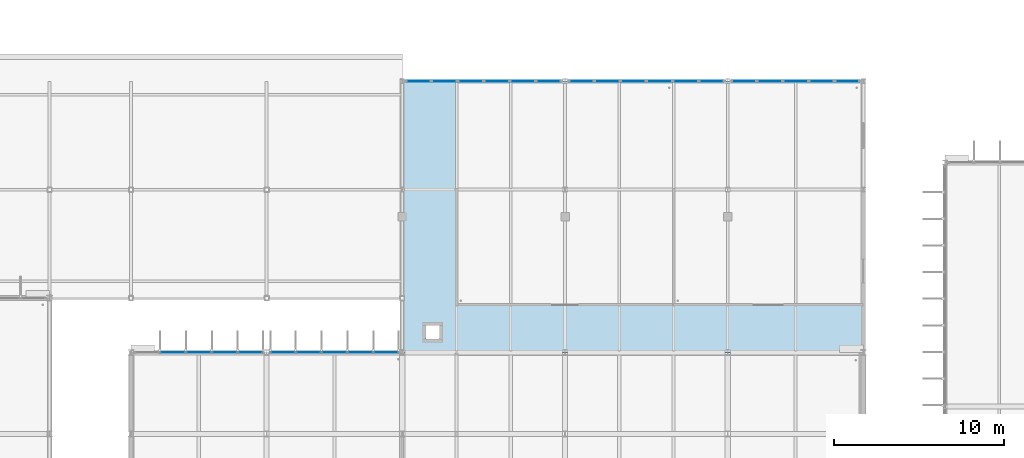
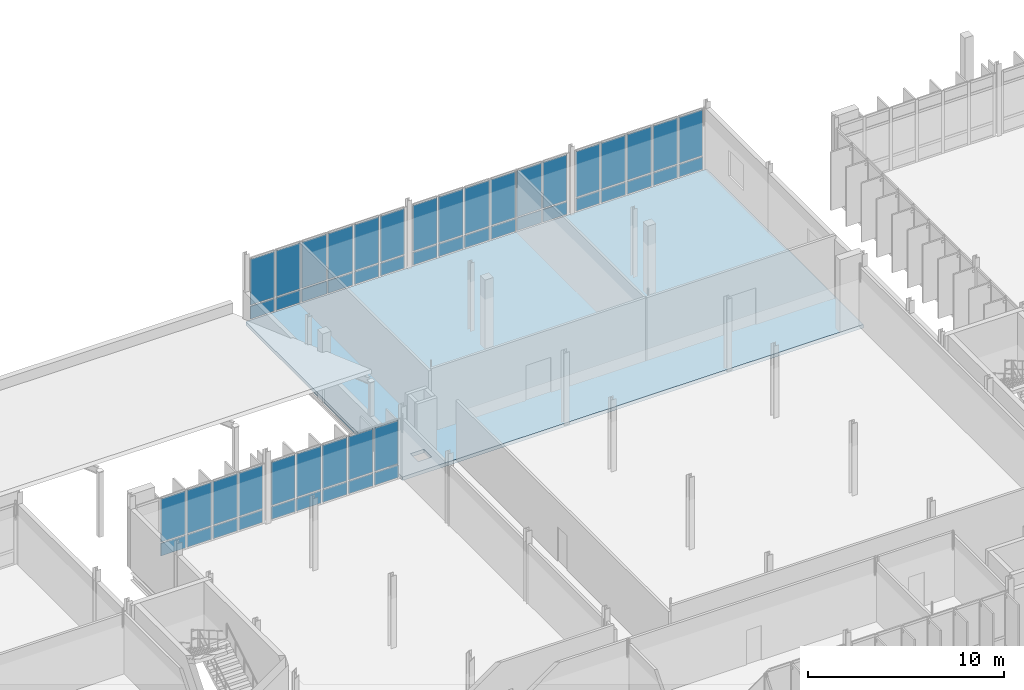
# One storey, part 50 of 107: 52 plates, 1 slab, 5 elements without a shape of their own.
"""IFC4 building model written with IfcOpenShell, lengths in metres."""

from ifc_helpers import new_model, si_unit, direction, frame, origin, origin_2d, place, context, subcontext, project, spatial, polyline, rectangle, outline, extrude, material, layer, layer_set, type_object, element, aggregate, save


model = new_model("IFC4")

# Units and contexts
model_context = context("Model", 3, precision=1e-05, world=origin(), true_north=direction((0.0, 1.0)))
body_context = subcontext(model_context, "Body", "Model", "MODEL_VIEW")
ifc_project = project(units=[si_unit("LENGTHUNIT", "METRE"), si_unit("AREAUNIT", "SQUARE_METRE"), si_unit("VOLUMEUNIT", "CUBIC_METRE"), si_unit("PLANEANGLEUNIT", "RADIAN"), si_unit("MASSUNIT", "GRAM", prefix="KILO")], contexts=[model_context])

# Site, building, storey
site_placement = place(None, origin())
site = spatial("IfcSite", under=ifc_project, at=site_placement, CompositionType="ELEMENT")
building_placement = place(site_placement, origin())
building = spatial("IfcBuilding", under=site, at=building_placement, Name="Dunescarp Central Library", CompositionType="ELEMENT")
storey_placement = place(building_placement, frame((0.0, 0.0, 5.10009765625)))
storey = spatial("IfcBuildingStorey", under=building, at=storey_placement, Name="L01", CompositionType="ELEMENT", Elevation=5.10009765625)

# Curtain wall, plates
ifc_material_1 = material(Name="Marine-grade anodised aluminium 6063-T6", Category="aluminium")
curtain_wall_type = type_object("IfcCurtainWallType", Name="ARC-CW-STICK", PredefinedType="NOTDEFINED", material=ifc_material_1)
curtain_wall_1_placement = place(storey_placement, origin())
curtain_wall_1 = element("IfcCurtainWall", 1, at=curtain_wall_1_placement, inside=storey, type_object=curtain_wall_type, Name="L01 curtain wall CW-V3-088", PredefinedType="NOTDEFINED")
ifc_material_2 = material(Name="Solar-control laminated double glazing", Category="glass")
ifc_layer_1 = layer(ifc_material_2, 0.028076171875)
ifc_layer_set_1 = layer_set([ifc_layer_1], Name="Solar-control laminated double glazing")
plate_type_1 = type_object("IfcPlateType", Name="ARC-PLT-GLZ28", PredefinedType="CURTAIN_PANEL", material=ifc_layer_set_1)
plate_1_placement = place(storey_placement, frame((84.070068359375, 33.60009765625, 0.93994140625), z_axis=(0.0, 0.0, 1.0), x_axis=(1.0, 0.0, 0.0)))
plate_1 = element("IfcPlate", 2, at=plate_1_placement, type_object=plate_type_1, Name="CW-V3-088 panel 2.2", PredefinedType="CURTAIN_PANEL", context=body_context, shape_type="SweptSolid", body=[
    extrude(rectangle(XDim=1.449951171875, YDim=0.028076171875, at=origin_2d()), origin(), (0.0, 0.0, 1.0), 2.695068359375),
])
plate_2_placement = place(storey_placement, frame((85.60009765625, 33.60009765625, 0.93994140625), z_axis=(0.0, 0.0, 1.0), x_axis=(1.0, 0.0, 0.0)))
plate_2 = element("IfcPlate", 3, at=plate_2_placement, type_object=plate_type_1, Name="CW-V3-088 panel 3.2", PredefinedType="CURTAIN_PANEL", context=body_context, shape_type="SweptSolid", body=[
    extrude(rectangle(XDim=1.449951171875, YDim=0.028076171875, at=origin_2d()), origin(), (0.0, 0.0, 1.0), 2.695068359375),
])
plate_3_placement = place(storey_placement, frame((87.1298828125, 33.60009765625, 0.93994140625), z_axis=(0.0, 0.0, 1.0), x_axis=(1.0, 0.0, 0.0)))
plate_3 = element("IfcPlate", 4, at=plate_3_placement, type_object=plate_type_1, Name="CW-V3-088 panel 4.2", PredefinedType="CURTAIN_PANEL", context=body_context, shape_type="SweptSolid", body=[
    extrude(rectangle(XDim=1.449951171875, YDim=0.028076171875, at=origin_2d()), origin(), (0.0, 0.0, 1.0), 2.695068359375),
])
plate_4_placement = place(storey_placement, frame((88.639892578125, 33.60009765625, 0.93994140625), z_axis=(0.0, 0.0, 1.0), x_axis=(1.0, 0.0, 0.0)))
plate_4 = element("IfcPlate", 5, at=plate_4_placement, type_object=plate_type_1, Name="CW-V3-088 panel 5.2", PredefinedType="CURTAIN_PANEL", context=body_context, shape_type="SweptSolid", body=[
    extrude(rectangle(XDim=1.409912109375, YDim=0.028076171875, at=origin_2d()), origin(), (0.0, 0.0, 1.0), 2.695068359375),
])

curtain_wall_2_placement = place(storey_placement, origin())
curtain_wall_2 = element("IfcCurtainWall", 6, at=curtain_wall_2_placement, inside=storey, type_object=curtain_wall_type, Name="L01 curtain wall CW-V3-089", PredefinedType="NOTDEFINED")
plate_5_placement = place(storey_placement, frame((90.56005859375, 33.60009765625, 0.93994140625), z_axis=(0.0, 0.0, 1.0), x_axis=(1.0, 0.0, 0.0)))
plate_5 = element("IfcPlate", 7, at=plate_5_placement, type_object=plate_type_1, Name="CW-V3-089 panel 1.2", PredefinedType="CURTAIN_PANEL", context=body_context, shape_type="SweptSolid", body=[
    extrude(rectangle(XDim=1.409912109375, YDim=0.028076171875, at=origin_2d()), origin(), (0.0, 0.0, 1.0), 2.695068359375),
])
plate_6_placement = place(storey_placement, frame((92.070068359375, 33.60009765625, 0.93994140625), z_axis=(0.0, 0.0, 1.0), x_axis=(1.0, 0.0, 0.0)))
plate_6 = element("IfcPlate", 8, at=plate_6_placement, type_object=plate_type_1, Name="CW-V3-089 panel 2.2", PredefinedType="CURTAIN_PANEL", context=body_context, shape_type="SweptSolid", body=[
    extrude(rectangle(XDim=1.449951171875, YDim=0.028076171875, at=origin_2d()), origin(), (0.0, 0.0, 1.0), 2.695068359375),
])
plate_7_placement = place(storey_placement, frame((93.60009765625, 33.60009765625, 0.93994140625), z_axis=(0.0, 0.0, 1.0), x_axis=(1.0, 0.0, 0.0)))
plate_7 = element("IfcPlate", 9, at=plate_7_placement, type_object=plate_type_1, Name="CW-V3-089 panel 3.2", PredefinedType="CURTAIN_PANEL", context=body_context, shape_type="SweptSolid", body=[
    extrude(rectangle(XDim=1.449951171875, YDim=0.028076171875, at=origin_2d()), origin(), (0.0, 0.0, 1.0), 2.695068359375),
])
plate_8_placement = place(storey_placement, frame((95.1298828125, 33.60009765625, 0.93994140625), z_axis=(0.0, 0.0, 1.0), x_axis=(1.0, 0.0, 0.0)))
plate_8 = element("IfcPlate", 10, at=plate_8_placement, type_object=plate_type_1, Name="CW-V3-089 panel 4.2", PredefinedType="CURTAIN_PANEL", context=body_context, shape_type="SweptSolid", body=[
    extrude(rectangle(XDim=1.449951171875, YDim=0.028076171875, at=origin_2d()), origin(), (0.0, 0.0, 1.0), 2.695068359375),
])
plate_9_placement = place(storey_placement, frame((96.639892578125, 33.60009765625, 0.93994140625), z_axis=(0.0, 0.0, 1.0), x_axis=(1.0, 0.0, 0.0)))
plate_9 = element("IfcPlate", 11, at=plate_9_placement, type_object=plate_type_1, Name="CW-V3-089 panel 5.2", PredefinedType="CURTAIN_PANEL", context=body_context, shape_type="SweptSolid", body=[
    extrude(rectangle(XDim=1.409912109375, YDim=0.028076171875, at=origin_2d()), origin(), (0.0, 0.0, 1.0), 2.695068359375),
])

curtain_wall_3_placement = place(storey_placement, origin())
curtain_wall_3 = element("IfcCurtainWall", 12, at=curtain_wall_3_placement, inside=storey, type_object=curtain_wall_type, Name="L01 curtain wall CW-V3D-L01-109", PredefinedType="NOTDEFINED")
plate_10_placement = place(storey_placement, frame((98.56591796875, 49.60009765625, 0.93994140625), z_axis=(0.0, 0.0, 1.0), x_axis=(1.0, 0.0, 0.0)))
plate_10 = element("IfcPlate", 13, at=plate_10_placement, type_object=plate_type_1, Name="CW-V3D-L01-109 panel 1.2", PredefinedType="CURTAIN_PANEL", context=body_context, shape_type="SweptSolid", body=[
    extrude(rectangle(XDim=1.421630859375, YDim=0.028076171875, at=origin_2d()), origin(), (0.0, 0.0, 1.0), 2.85498046875),
])
plate_11_placement = place(storey_placement, frame((100.08740234375, 49.60009765625, 0.93994140625), z_axis=(0.0, 0.0, 1.0), x_axis=(1.0, 0.0, 0.0)))
plate_11 = element("IfcPlate", 14, at=plate_11_placement, type_object=plate_type_1, Name="CW-V3D-L01-109 panel 2.2", PredefinedType="CURTAIN_PANEL", context=body_context, shape_type="SweptSolid", body=[
    extrude(rectangle(XDim=1.461669921875, YDim=0.028076171875, at=origin_2d()), origin(), (0.0, 0.0, 1.0), 2.85498046875),
])
plate_12_placement = place(storey_placement, frame((101.629150390625, 49.60009765625, 0.93994140625), z_axis=(0.0, 0.0, 1.0), x_axis=(1.0, 0.0, 0.0)))
plate_12 = element("IfcPlate", 15, at=plate_12_placement, type_object=plate_type_1, Name="CW-V3D-L01-109 panel 3.2", PredefinedType="CURTAIN_PANEL", context=body_context, shape_type="SweptSolid", body=[
    extrude(rectangle(XDim=1.461669921875, YDim=0.028076171875, at=origin_2d()), origin(), (0.0, 0.0, 1.0), 2.85498046875),
])
plate_13_placement = place(storey_placement, frame((103.1708984375, 49.60009765625, 0.93994140625), z_axis=(0.0, 0.0, 1.0), x_axis=(1.0, 0.0, 0.0)))
plate_13 = element("IfcPlate", 16, at=plate_13_placement, type_object=plate_type_1, Name="CW-V3D-L01-109 panel 4.2", PredefinedType="CURTAIN_PANEL", context=body_context, shape_type="SweptSolid", body=[
    extrude(rectangle(XDim=1.461669921875, YDim=0.028076171875, at=origin_2d()), origin(), (0.0, 0.0, 1.0), 2.85498046875),
])
plate_14_placement = place(storey_placement, frame((104.71240234375, 49.60009765625, 0.93994140625), z_axis=(0.0, 0.0, 1.0), x_axis=(1.0, 0.0, 0.0)))
plate_14 = element("IfcPlate", 17, at=plate_14_placement, type_object=plate_type_1, Name="CW-V3D-L01-109 panel 5.2", PredefinedType="CURTAIN_PANEL", context=body_context, shape_type="SweptSolid", body=[
    extrude(rectangle(XDim=1.461669921875, YDim=0.028076171875, at=origin_2d()), origin(), (0.0, 0.0, 1.0), 2.85498046875),
])
plate_15_placement = place(storey_placement, frame((106.234130859375, 49.60009765625, 0.93994140625), z_axis=(0.0, 0.0, 1.0), x_axis=(1.0, 0.0, 0.0)))
plate_15 = element("IfcPlate", 18, at=plate_15_placement, type_object=plate_type_1, Name="CW-V3D-L01-109 panel 6.2", PredefinedType="CURTAIN_PANEL", context=body_context, shape_type="SweptSolid", body=[
    extrude(rectangle(XDim=1.421630859375, YDim=0.028076171875, at=origin_2d()), origin(), (0.0, 0.0, 1.0), 2.85498046875),
])

curtain_wall_4_placement = place(storey_placement, origin())
curtain_wall_4 = element("IfcCurtainWall", 19, at=curtain_wall_4_placement, inside=storey, type_object=curtain_wall_type, Name="L01 curtain wall CW-V3D-L01-110", PredefinedType="NOTDEFINED")
plate_16_placement = place(storey_placement, frame((108.165771484375, 49.60009765625, 0.93994140625), z_axis=(0.0, 0.0, 1.0), x_axis=(1.0, 0.0, 0.0)))
plate_16 = element("IfcPlate", 20, at=plate_16_placement, type_object=plate_type_1, Name="CW-V3D-L01-110 panel 1.2", PredefinedType="CURTAIN_PANEL", context=body_context, shape_type="SweptSolid", body=[
    extrude(rectangle(XDim=1.421630859375, YDim=0.028076171875, at=origin_2d()), origin(), (0.0, 0.0, 1.0), 2.85498046875),
])
plate_17_placement = place(storey_placement, frame((109.6875, 49.60009765625, 0.93994140625), z_axis=(0.0, 0.0, 1.0), x_axis=(1.0, 0.0, 0.0)))
plate_17 = element("IfcPlate", 21, at=plate_17_placement, type_object=plate_type_1, Name="CW-V3D-L01-110 panel 2.2", PredefinedType="CURTAIN_PANEL", context=body_context, shape_type="SweptSolid", body=[
    extrude(rectangle(XDim=1.461669921875, YDim=0.028076171875, at=origin_2d()), origin(), (0.0, 0.0, 1.0), 2.85498046875),
])
plate_18_placement = place(storey_placement, frame((111.229248046875, 49.60009765625, 0.93994140625), z_axis=(0.0, 0.0, 1.0), x_axis=(1.0, 0.0, 0.0)))
plate_18 = element("IfcPlate", 22, at=plate_18_placement, type_object=plate_type_1, Name="CW-V3D-L01-110 panel 3.2", PredefinedType="CURTAIN_PANEL", context=body_context, shape_type="SweptSolid", body=[
    extrude(rectangle(XDim=1.461669921875, YDim=0.028076171875, at=origin_2d()), origin(), (0.0, 0.0, 1.0), 2.85498046875),
])
plate_19_placement = place(storey_placement, frame((112.770751953125, 49.60009765625, 0.93994140625), z_axis=(0.0, 0.0, 1.0), x_axis=(1.0, 0.0, 0.0)))
plate_19 = element("IfcPlate", 23, at=plate_19_placement, type_object=plate_type_1, Name="CW-V3D-L01-110 panel 4.2", PredefinedType="CURTAIN_PANEL", context=body_context, shape_type="SweptSolid", body=[
    extrude(rectangle(XDim=1.461669921875, YDim=0.028076171875, at=origin_2d()), origin(), (0.0, 0.0, 1.0), 2.85498046875),
])
plate_20_placement = place(storey_placement, frame((114.3125, 49.60009765625, 0.93994140625), z_axis=(0.0, 0.0, 1.0), x_axis=(1.0, 0.0, 0.0)))
plate_20 = element("IfcPlate", 24, at=plate_20_placement, type_object=plate_type_1, Name="CW-V3D-L01-110 panel 5.2", PredefinedType="CURTAIN_PANEL", context=body_context, shape_type="SweptSolid", body=[
    extrude(rectangle(XDim=1.461669921875, YDim=0.028076171875, at=origin_2d()), origin(), (0.0, 0.0, 1.0), 2.85498046875),
])
plate_21_placement = place(storey_placement, frame((115.834228515625, 49.60009765625, 0.93994140625), z_axis=(0.0, 0.0, 1.0), x_axis=(1.0, 0.0, 0.0)))
plate_21 = element("IfcPlate", 25, at=plate_21_placement, type_object=plate_type_1, Name="CW-V3D-L01-110 panel 6.2", PredefinedType="CURTAIN_PANEL", context=body_context, shape_type="SweptSolid", body=[
    extrude(rectangle(XDim=1.421630859375, YDim=0.028076171875, at=origin_2d()), origin(), (0.0, 0.0, 1.0), 2.85498046875),
])

curtain_wall_5_placement = place(storey_placement, origin())
curtain_wall_5 = element("IfcCurtainWall", 26, at=curtain_wall_5_placement, inside=storey, type_object=curtain_wall_type, Name="L01 curtain wall CW-V3D-L01-111", PredefinedType="NOTDEFINED")
plate_22_placement = place(storey_placement, frame((117.760009765625, 49.60009765625, 0.93994140625), z_axis=(0.0, 0.0, 1.0), x_axis=(1.0, 0.0, 0.0)))
plate_22 = element("IfcPlate", 27, at=plate_22_placement, type_object=plate_type_1, Name="CW-V3D-L01-111 panel 1.2", PredefinedType="CURTAIN_PANEL", context=body_context, shape_type="SweptSolid", body=[
    extrude(rectangle(XDim=1.409912109375, YDim=0.028076171875, at=origin_2d()), origin(), (0.0, 0.0, 1.0), 2.85498046875),
])
plate_23_placement = place(storey_placement, frame((119.27001953125, 49.60009765625, 0.93994140625), z_axis=(0.0, 0.0, 1.0), x_axis=(1.0, 0.0, 0.0)))
plate_23 = element("IfcPlate", 28, at=plate_23_placement, type_object=plate_type_1, Name="CW-V3D-L01-111 panel 2.2", PredefinedType="CURTAIN_PANEL", context=body_context, shape_type="SweptSolid", body=[
    extrude(rectangle(XDim=1.449951171875, YDim=0.028076171875, at=origin_2d()), origin(), (0.0, 0.0, 1.0), 2.85498046875),
])
plate_24_placement = place(storey_placement, frame((120.800048828125, 49.60009765625, 0.93994140625), z_axis=(0.0, 0.0, 1.0), x_axis=(1.0, 0.0, 0.0)))
plate_24 = element("IfcPlate", 29, at=plate_24_placement, type_object=plate_type_1, Name="CW-V3D-L01-111 panel 3.2", PredefinedType="CURTAIN_PANEL", context=body_context, shape_type="SweptSolid", body=[
    extrude(rectangle(XDim=1.449951171875, YDim=0.028076171875, at=origin_2d()), origin(), (0.0, 0.0, 1.0), 2.85498046875),
])
plate_25_placement = place(storey_placement, frame((122.330078125, 49.60009765625, 0.93994140625), z_axis=(0.0, 0.0, 1.0), x_axis=(1.0, 0.0, 0.0)))
plate_25 = element("IfcPlate", 30, at=plate_25_placement, type_object=plate_type_1, Name="CW-V3D-L01-111 panel 4.2", PredefinedType="CURTAIN_PANEL", context=body_context, shape_type="SweptSolid", body=[
    extrude(rectangle(XDim=1.449951171875, YDim=0.028076171875, at=origin_2d()), origin(), (0.0, 0.0, 1.0), 2.85498046875),
])
plate_26_placement = place(storey_placement, frame((123.840087890625, 49.60009765625, 0.93994140625), z_axis=(0.0, 0.0, 1.0), x_axis=(1.0, 0.0, 0.0)))
plate_26 = element("IfcPlate", 31, at=plate_26_placement, type_object=plate_type_1, Name="CW-V3D-L01-111 panel 5.2", PredefinedType="CURTAIN_PANEL", context=body_context, shape_type="SweptSolid", body=[
    extrude(rectangle(XDim=1.409912109375, YDim=0.028076171875, at=origin_2d()), origin(), (0.0, 0.0, 1.0), 2.85498046875),
])

# Plate
ifc_layer_2 = layer(ifc_material_1, 0.050048828125)
ifc_layer_set_2 = layer_set([ifc_layer_2], Name="Marine-grade anodised aluminium 6063-T6")
plate_type_2 = type_object("IfcPlateType", Name="ARC-PLT-SPN50", PredefinedType="SHEET", material=ifc_layer_set_2)
plate_27_placement = place(storey_placement, frame((84.070068359375, 33.60009765625, 0.080078125), z_axis=(0.0, 0.0, 1.0), x_axis=(1.0, 0.0, 0.0)))
plate_27 = element("IfcPlate", 32, at=plate_27_placement, type_object=plate_type_2, Name="CW-V3-088 panel 2.1", PredefinedType="SHEET", context=body_context, shape_type="SweptSolid", body=[
    extrude(rectangle(XDim=1.449951171875, YDim=0.050048828125, at=origin_2d()), origin(), (0.0, 0.0, 1.0), 0.780029296875),
])

plate_28_placement = place(storey_placement, frame((85.60009765625, 33.60009765625, 0.080078125), z_axis=(0.0, 0.0, 1.0), x_axis=(1.0, 0.0, 0.0)))
plate_28 = element("IfcPlate", 33, at=plate_28_placement, type_object=plate_type_2, Name="CW-V3-088 panel 3.1", PredefinedType="SHEET", context=body_context, shape_type="SweptSolid", body=[
    extrude(rectangle(XDim=1.449951171875, YDim=0.050048828125, at=origin_2d()), origin(), (0.0, 0.0, 1.0), 0.780029296875),
])

plate_29_placement = place(storey_placement, frame((87.1298828125, 33.60009765625, 0.080078125), z_axis=(0.0, 0.0, 1.0), x_axis=(1.0, 0.0, 0.0)))
plate_29 = element("IfcPlate", 34, at=plate_29_placement, type_object=plate_type_2, Name="CW-V3-088 panel 4.1", PredefinedType="SHEET", context=body_context, shape_type="SweptSolid", body=[
    extrude(rectangle(XDim=1.449951171875, YDim=0.050048828125, at=origin_2d()), origin(), (0.0, 0.0, 1.0), 0.780029296875),
])

plate_30_placement = place(storey_placement, frame((88.639892578125, 33.60009765625, 0.080078125), z_axis=(0.0, 0.0, 1.0), x_axis=(1.0, 0.0, 0.0)))
plate_30 = element("IfcPlate", 35, at=plate_30_placement, type_object=plate_type_2, Name="CW-V3-088 panel 5.1", PredefinedType="SHEET", context=body_context, shape_type="SweptSolid", body=[
    extrude(rectangle(XDim=1.409912109375, YDim=0.050048828125, at=origin_2d()), origin(), (0.0, 0.0, 1.0), 0.780029296875),
])

aggregate(curtain_wall_1, [plate_27, plate_1, plate_28, plate_2, plate_29, plate_3, plate_30, plate_4])

plate_31_placement = place(storey_placement, frame((90.56005859375, 33.60009765625, 0.080078125), z_axis=(0.0, 0.0, 1.0), x_axis=(1.0, 0.0, 0.0)))
plate_31 = element("IfcPlate", 36, at=plate_31_placement, type_object=plate_type_2, Name="CW-V3-089 panel 1.1", PredefinedType="SHEET", context=body_context, shape_type="SweptSolid", body=[
    extrude(rectangle(XDim=1.409912109375, YDim=0.050048828125, at=origin_2d()), origin(), (0.0, 0.0, 1.0), 0.780029296875),
])

plate_32_placement = place(storey_placement, frame((92.070068359375, 33.60009765625, 0.080078125), z_axis=(0.0, 0.0, 1.0), x_axis=(1.0, 0.0, 0.0)))
plate_32 = element("IfcPlate", 37, at=plate_32_placement, type_object=plate_type_2, Name="CW-V3-089 panel 2.1", PredefinedType="SHEET", context=body_context, shape_type="SweptSolid", body=[
    extrude(rectangle(XDim=1.449951171875, YDim=0.050048828125, at=origin_2d()), origin(), (0.0, 0.0, 1.0), 0.780029296875),
])

plate_33_placement = place(storey_placement, frame((93.60009765625, 33.60009765625, 0.080078125), z_axis=(0.0, 0.0, 1.0), x_axis=(1.0, 0.0, 0.0)))
plate_33 = element("IfcPlate", 38, at=plate_33_placement, type_object=plate_type_2, Name="CW-V3-089 panel 3.1", PredefinedType="SHEET", context=body_context, shape_type="SweptSolid", body=[
    extrude(rectangle(XDim=1.449951171875, YDim=0.050048828125, at=origin_2d()), origin(), (0.0, 0.0, 1.0), 0.780029296875),
])

plate_34_placement = place(storey_placement, frame((95.1298828125, 33.60009765625, 0.080078125), z_axis=(0.0, 0.0, 1.0), x_axis=(1.0, 0.0, 0.0)))
plate_34 = element("IfcPlate", 39, at=plate_34_placement, type_object=plate_type_2, Name="CW-V3-089 panel 4.1", PredefinedType="SHEET", context=body_context, shape_type="SweptSolid", body=[
    extrude(rectangle(XDim=1.449951171875, YDim=0.050048828125, at=origin_2d()), origin(), (0.0, 0.0, 1.0), 0.780029296875),
])

plate_35_placement = place(storey_placement, frame((96.639892578125, 33.60009765625, 0.080078125), z_axis=(0.0, 0.0, 1.0), x_axis=(1.0, 0.0, 0.0)))
plate_35 = element("IfcPlate", 40, at=plate_35_placement, type_object=plate_type_2, Name="CW-V3-089 panel 5.1", PredefinedType="SHEET", context=body_context, shape_type="SweptSolid", body=[
    extrude(rectangle(XDim=1.409912109375, YDim=0.050048828125, at=origin_2d()), origin(), (0.0, 0.0, 1.0), 0.780029296875),
])

aggregate(curtain_wall_2, [plate_31, plate_5, plate_32, plate_6, plate_33, plate_7, plate_34, plate_8, plate_35, plate_9])

plate_36_placement = place(storey_placement, frame((98.56591796875, 49.60009765625, 0.080078125), z_axis=(0.0, 0.0, 1.0), x_axis=(1.0, 0.0, 0.0)))
plate_36 = element("IfcPlate", 41, at=plate_36_placement, type_object=plate_type_2, Name="CW-V3D-L01-109 panel 1.1", PredefinedType="SHEET", context=body_context, shape_type="SweptSolid", body=[
    extrude(rectangle(XDim=1.421630859375, YDim=0.050048828125, at=origin_2d()), origin(), (0.0, 0.0, 1.0), 0.780029296875),
])

plate_37_placement = place(storey_placement, frame((100.08740234375, 49.60009765625, 0.080078125), z_axis=(0.0, 0.0, 1.0), x_axis=(1.0, 0.0, 0.0)))
plate_37 = element("IfcPlate", 42, at=plate_37_placement, type_object=plate_type_2, Name="CW-V3D-L01-109 panel 2.1", PredefinedType="SHEET", context=body_context, shape_type="SweptSolid", body=[
    extrude(rectangle(XDim=1.461669921875, YDim=0.050048828125, at=origin_2d()), origin(), (0.0, 0.0, 1.0), 0.780029296875),
])

plate_38_placement = place(storey_placement, frame((101.629150390625, 49.60009765625, 0.080078125), z_axis=(0.0, 0.0, 1.0), x_axis=(1.0, 0.0, 0.0)))
plate_38 = element("IfcPlate", 43, at=plate_38_placement, type_object=plate_type_2, Name="CW-V3D-L01-109 panel 3.1", PredefinedType="SHEET", context=body_context, shape_type="SweptSolid", body=[
    extrude(rectangle(XDim=1.461669921875, YDim=0.050048828125, at=origin_2d()), origin(), (0.0, 0.0, 1.0), 0.780029296875),
])

plate_39_placement = place(storey_placement, frame((103.1708984375, 49.60009765625, 0.080078125), z_axis=(0.0, 0.0, 1.0), x_axis=(1.0, 0.0, 0.0)))
plate_39 = element("IfcPlate", 44, at=plate_39_placement, type_object=plate_type_2, Name="CW-V3D-L01-109 panel 4.1", PredefinedType="SHEET", context=body_context, shape_type="SweptSolid", body=[
    extrude(rectangle(XDim=1.461669921875, YDim=0.050048828125, at=origin_2d()), origin(), (0.0, 0.0, 1.0), 0.780029296875),
])

plate_40_placement = place(storey_placement, frame((104.71240234375, 49.60009765625, 0.080078125), z_axis=(0.0, 0.0, 1.0), x_axis=(1.0, 0.0, 0.0)))
plate_40 = element("IfcPlate", 45, at=plate_40_placement, type_object=plate_type_2, Name="CW-V3D-L01-109 panel 5.1", PredefinedType="SHEET", context=body_context, shape_type="SweptSolid", body=[
    extrude(rectangle(XDim=1.461669921875, YDim=0.050048828125, at=origin_2d()), origin(), (0.0, 0.0, 1.0), 0.780029296875),
])

plate_41_placement = place(storey_placement, frame((106.234130859375, 49.60009765625, 0.080078125), z_axis=(0.0, 0.0, 1.0), x_axis=(1.0, 0.0, 0.0)))
plate_41 = element("IfcPlate", 46, at=plate_41_placement, type_object=plate_type_2, Name="CW-V3D-L01-109 panel 6.1", PredefinedType="SHEET", context=body_context, shape_type="SweptSolid", body=[
    extrude(rectangle(XDim=1.421630859375, YDim=0.050048828125, at=origin_2d()), origin(), (0.0, 0.0, 1.0), 0.780029296875),
])

aggregate(curtain_wall_3, [plate_36, plate_10, plate_37, plate_11, plate_38, plate_12, plate_39, plate_13, plate_40, plate_14, plate_41, plate_15])

plate_42_placement = place(storey_placement, frame((108.165771484375, 49.60009765625, 0.080078125), z_axis=(0.0, 0.0, 1.0), x_axis=(1.0, 0.0, 0.0)))
plate_42 = element("IfcPlate", 47, at=plate_42_placement, type_object=plate_type_2, Name="CW-V3D-L01-110 panel 1.1", PredefinedType="SHEET", context=body_context, shape_type="SweptSolid", body=[
    extrude(rectangle(XDim=1.421630859375, YDim=0.050048828125, at=origin_2d()), origin(), (0.0, 0.0, 1.0), 0.780029296875),
])

plate_43_placement = place(storey_placement, frame((109.6875, 49.60009765625, 0.080078125), z_axis=(0.0, 0.0, 1.0), x_axis=(1.0, 0.0, 0.0)))
plate_43 = element("IfcPlate", 48, at=plate_43_placement, type_object=plate_type_2, Name="CW-V3D-L01-110 panel 2.1", PredefinedType="SHEET", context=body_context, shape_type="SweptSolid", body=[
    extrude(rectangle(XDim=1.461669921875, YDim=0.050048828125, at=origin_2d()), origin(), (0.0, 0.0, 1.0), 0.780029296875),
])

plate_44_placement = place(storey_placement, frame((111.229248046875, 49.60009765625, 0.080078125), z_axis=(0.0, 0.0, 1.0), x_axis=(1.0, 0.0, 0.0)))
plate_44 = element("IfcPlate", 49, at=plate_44_placement, type_object=plate_type_2, Name="CW-V3D-L01-110 panel 3.1", PredefinedType="SHEET", context=body_context, shape_type="SweptSolid", body=[
    extrude(rectangle(XDim=1.461669921875, YDim=0.050048828125, at=origin_2d()), origin(), (0.0, 0.0, 1.0), 0.780029296875),
])

plate_45_placement = place(storey_placement, frame((112.770751953125, 49.60009765625, 0.080078125), z_axis=(0.0, 0.0, 1.0), x_axis=(1.0, 0.0, 0.0)))
plate_45 = element("IfcPlate", 50, at=plate_45_placement, type_object=plate_type_2, Name="CW-V3D-L01-110 panel 4.1", PredefinedType="SHEET", context=body_context, shape_type="SweptSolid", body=[
    extrude(rectangle(XDim=1.461669921875, YDim=0.050048828125, at=origin_2d()), origin(), (0.0, 0.0, 1.0), 0.780029296875),
])

plate_46_placement = place(storey_placement, frame((114.3125, 49.60009765625, 0.080078125), z_axis=(0.0, 0.0, 1.0), x_axis=(1.0, 0.0, 0.0)))
plate_46 = element("IfcPlate", 51, at=plate_46_placement, type_object=plate_type_2, Name="CW-V3D-L01-110 panel 5.1", PredefinedType="SHEET", context=body_context, shape_type="SweptSolid", body=[
    extrude(rectangle(XDim=1.461669921875, YDim=0.050048828125, at=origin_2d()), origin(), (0.0, 0.0, 1.0), 0.780029296875),
])

plate_47_placement = place(storey_placement, frame((115.834228515625, 49.60009765625, 0.080078125), z_axis=(0.0, 0.0, 1.0), x_axis=(1.0, 0.0, 0.0)))
plate_47 = element("IfcPlate", 52, at=plate_47_placement, type_object=plate_type_2, Name="CW-V3D-L01-110 panel 6.1", PredefinedType="SHEET", context=body_context, shape_type="SweptSolid", body=[
    extrude(rectangle(XDim=1.421630859375, YDim=0.050048828125, at=origin_2d()), origin(), (0.0, 0.0, 1.0), 0.780029296875),
])

aggregate(curtain_wall_4, [plate_42, plate_16, plate_43, plate_17, plate_44, plate_18, plate_45, plate_19, plate_46, plate_20, plate_47, plate_21])

plate_48_placement = place(storey_placement, frame((117.760009765625, 49.60009765625, 0.080078125), z_axis=(0.0, 0.0, 1.0), x_axis=(1.0, 0.0, 0.0)))
plate_48 = element("IfcPlate", 53, at=plate_48_placement, type_object=plate_type_2, Name="CW-V3D-L01-111 panel 1.1", PredefinedType="SHEET", context=body_context, shape_type="SweptSolid", body=[
    extrude(rectangle(XDim=1.409912109375, YDim=0.050048828125, at=origin_2d()), origin(), (0.0, 0.0, 1.0), 0.780029296875),
])

plate_49_placement = place(storey_placement, frame((119.27001953125, 49.60009765625, 0.080078125), z_axis=(0.0, 0.0, 1.0), x_axis=(1.0, 0.0, 0.0)))
plate_49 = element("IfcPlate", 54, at=plate_49_placement, type_object=plate_type_2, Name="CW-V3D-L01-111 panel 2.1", PredefinedType="SHEET", context=body_context, shape_type="SweptSolid", body=[
    extrude(rectangle(XDim=1.449951171875, YDim=0.050048828125, at=origin_2d()), origin(), (0.0, 0.0, 1.0), 0.780029296875),
])

plate_50_placement = place(storey_placement, frame((120.800048828125, 49.60009765625, 0.080078125), z_axis=(0.0, 0.0, 1.0), x_axis=(1.0, 0.0, 0.0)))
plate_50 = element("IfcPlate", 55, at=plate_50_placement, type_object=plate_type_2, Name="CW-V3D-L01-111 panel 3.1", PredefinedType="SHEET", context=body_context, shape_type="SweptSolid", body=[
    extrude(rectangle(XDim=1.449951171875, YDim=0.050048828125, at=origin_2d()), origin(), (0.0, 0.0, 1.0), 0.780029296875),
])

plate_51_placement = place(storey_placement, frame((122.330078125, 49.60009765625, 0.080078125), z_axis=(0.0, 0.0, 1.0), x_axis=(1.0, 0.0, 0.0)))
plate_51 = element("IfcPlate", 56, at=plate_51_placement, type_object=plate_type_2, Name="CW-V3D-L01-111 panel 4.1", PredefinedType="SHEET", context=body_context, shape_type="SweptSolid", body=[
    extrude(rectangle(XDim=1.449951171875, YDim=0.050048828125, at=origin_2d()), origin(), (0.0, 0.0, 1.0), 0.780029296875),
])

plate_52_placement = place(storey_placement, frame((123.840087890625, 49.60009765625, 0.080078125), z_axis=(0.0, 0.0, 1.0), x_axis=(1.0, 0.0, 0.0)))
plate_52 = element("IfcPlate", 57, at=plate_52_placement, type_object=plate_type_2, Name="CW-V3D-L01-111 panel 5.1", PredefinedType="SHEET", context=body_context, shape_type="SweptSolid", body=[
    extrude(rectangle(XDim=1.409912109375, YDim=0.050048828125, at=origin_2d()), origin(), (0.0, 0.0, 1.0), 0.780029296875),
])

aggregate(curtain_wall_5, [plate_48, plate_22, plate_49, plate_23, plate_50, plate_24, plate_51, plate_25, plate_52, plate_26])

# Slab
ifc_material_3 = material(Name="Concrete C35/45", Category="concrete")
ifc_layer_3 = layer(ifc_material_3, 0.219970703125)
ifc_layer_set_3 = layer_set([ifc_layer_3], Name="Concrete C35/45")
slab_type = type_object("IfcSlabType", Name="STR-SLB-STACK220", PredefinedType="FLOOR", material=ifc_layer_set_3)
slab_placement = place(storey_placement, frame((0.0, 0.0, -0.22021484375)))
element("IfcSlab", 58, at=slab_placement, inside=storey, type_object=slab_type, Name="L01 V3D slab", PredefinedType="FLOOR", context=body_context, shape_type="SweptSolid", body=[
    extrude(outline(polyline([(97.60009765625, 33.60009765625), (124.800048828125, 33.60009765625), (124.800048828125, 49.60009765625), (97.60009765625, 49.60009765625), (97.60009765625, 33.60009765625)]), holes=[polyline([(99.0, 34.39990234375), (99.800048828125, 34.39990234375), (99.800048828125, 35.199951171875), (99.0, 35.199951171875), (99.0, 34.39990234375)])]), origin(), (0.0, 0.0, 1.0), 0.22021484375),
])

save(model, "model.ifc")
